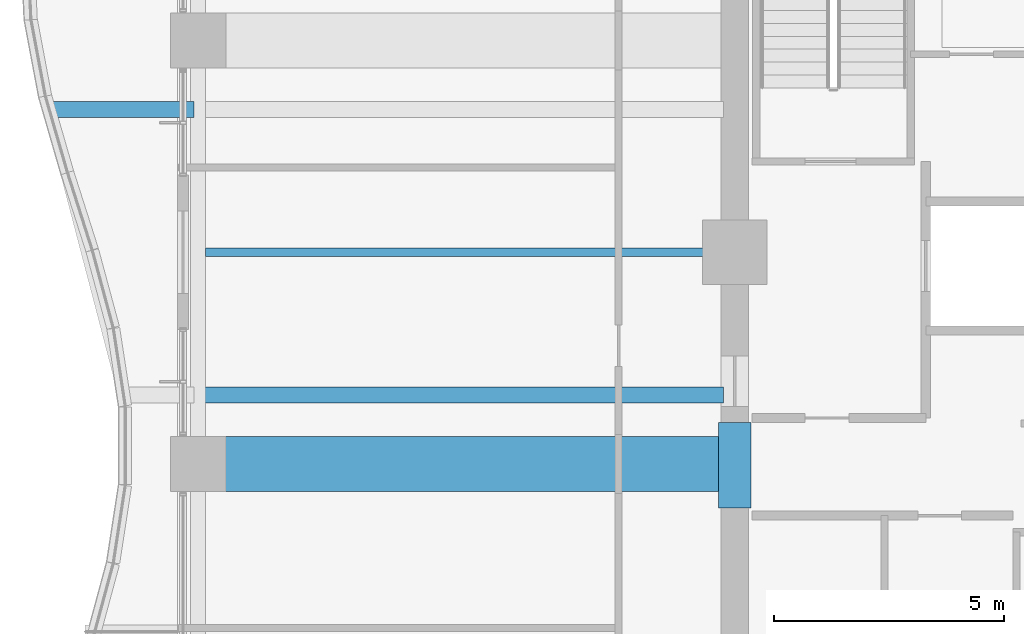
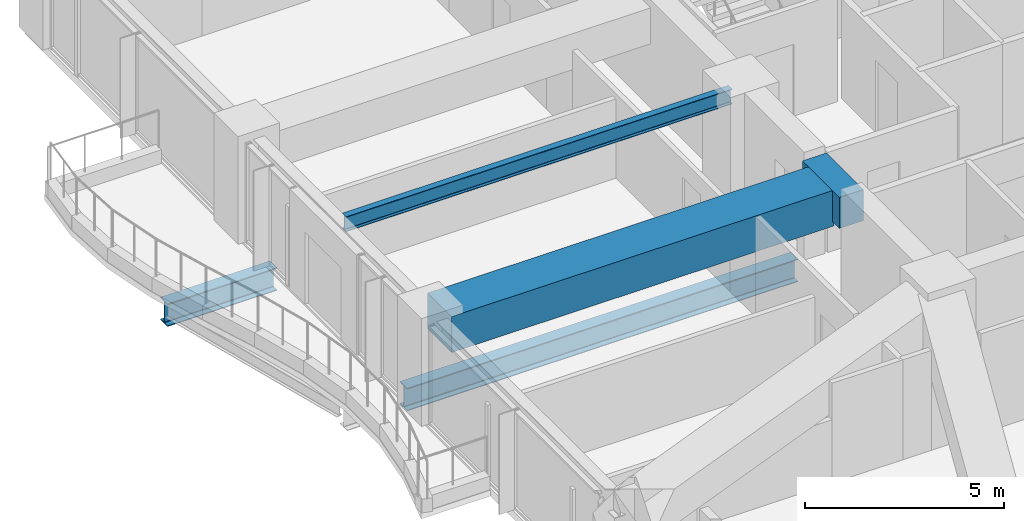
# One storey, part 8 of 39: 5 beams.
"""IFC4 building model written with IfcOpenShell, lengths in metres."""

from ifc_helpers import new_model, si_unit, direction, frame, origin, origin_2d, place, context, subcontext, project, spatial, rectangle, i_section, extrude, material, material_profile, profile_set, type_object, element, save


model = new_model("IFC4")

# Units and contexts
model_context = context("Model", 3, precision=1e-05, world=origin(), true_north=direction((0.0, 1.0)))
body_context = subcontext(model_context, "Body", "Model", "MODEL_VIEW")
ifc_project = project(units=[si_unit("LENGTHUNIT", "METRE"), si_unit("AREAUNIT", "SQUARE_METRE"), si_unit("VOLUMEUNIT", "CUBIC_METRE"), si_unit("PLANEANGLEUNIT", "RADIAN"), si_unit("MASSUNIT", "GRAM", prefix="KILO")], contexts=[model_context])

# Site, building, storey
site_placement = place(None, origin())
site = spatial("IfcSite", under=ifc_project, at=site_placement, CompositionType="ELEMENT")
building_placement = place(site_placement, origin())
building = spatial("IfcBuilding", under=site, at=building_placement, Name="Kolvaren Belvedere", CompositionType="ELEMENT")
storey_placement = place(building_placement, frame((0.0, 0.0, 33.699951171875)))
storey = spatial("IfcBuildingStorey", under=building, at=storey_placement, Name="L09", CompositionType="ELEMENT", Elevation=33.699951171875)

# Beams
ifc_material_1 = material(Name="Structural steel ASTM A992 Grade 50", Category="steel")
ifc_material_profile_1 = material_profile(ifc_material_1, i_section(OverallWidth=0.35498046875, OverallDepth=0.696044921875, WebThickness=0.015380859375, FlangeThickness=0.02490234375, FilletRadius=0.02197265625, at=origin_2d()), Name="W27X146")
ifc_profile_set_1 = profile_set([ifc_material_profile_1], Name="Structural steel ASTM A992 Grade 50")
beam_type_1 = type_object("IfcBeamType", Name="BM-CANT-BAL", PredefinedType="BEAM", material=ifc_profile_set_1)
beam_1_placement = place(storey_placement, frame((-21.64501953125, 3.10009765625, -0.587890625), z_axis=(-1.0, 0.0, 0.0), x_axis=(0.0, -1.0, 0.0)))
element("IfcBeam", 1, at=beam_1_placement, inside=storey, type_object=beam_type_1, Name="L09 Planted Balcony Cantilever BAL-W-2", PredefinedType="BEAM", context=body_context, shape_type="SweptSolid", body=[
    extrude(i_section(OverallWidth=0.35498046875, OverallDepth=0.696044921875, WebThickness=0.015380859375, FlangeThickness=0.02490234375, FilletRadius=0.02197265625, at=origin_2d()), origin(), (0.0, 0.0, 1.0), 3.168212890625),
])
ifc_material_2 = material(Name="Structural steel ASTM A992 Grade 50", Category="steel")
ifc_material_profile_2 = material_profile(ifc_material_2, i_section(OverallWidth=0.35498046875, OverallDepth=0.696044921875, WebThickness=0.015380859375, FlangeThickness=0.02490234375, FilletRadius=0.02197265625, at=origin_2d()), Name="W27X146")
ifc_profile_set_2 = profile_set([ifc_material_profile_2], Name="Structural steel ASTM A992 Grade 50")
beam_type_2 = type_object("IfcBeamType", Name="BM-GIRD-W27X146", PredefinedType="BEAM", material=ifc_profile_set_2)
beam_2_placement = place(storey_placement, frame((-10.139892578125, -3.10009765625, -0.587890625), z_axis=(-1.0, 0.0, 0.0), x_axis=(0.0, -1.0, 0.0)))
element("IfcBeam", 2, at=beam_2_placement, inside=storey, type_object=beam_type_2, Name="L09 Balcony Interior Back-Span Girder BAL-W-1", PredefinedType="BEAM", context=body_context, shape_type="SweptSolid", body=[
    extrude(i_section(OverallWidth=0.35498046875, OverallDepth=0.696044921875, WebThickness=0.015380859375, FlangeThickness=0.02490234375, FilletRadius=0.02197265625, at=origin_2d()), origin(), (0.0, 0.0, 1.0), 11.315185546875),
])
ifc_material_3 = material(Name="Structural steel ASTM A992 Grade 50", Category="steel")
ifc_material_profile_3 = material_profile(ifc_material_3, i_section(OverallWidth=0.19091796875, OverallDepth=0.4599609375, WebThickness=0.010009765625, FlangeThickness=0.01611328125, FilletRadius=0.014892578125, at=origin_2d()), Name="W18X55")
ifc_profile_set_3 = profile_set([ifc_material_profile_3], Name="Structural steel ASTM A992 Grade 50")
beam_type_3 = type_object("IfcBeamType", Name="BM-JOIST-W18X55", PredefinedType="BEAM", material=ifc_profile_set_3)
beam_3_placement = place(storey_placement, frame((-10.199951171875, 0.0, 2.830078125), z_axis=(-1.0, 0.0, 0.0), x_axis=(0.0, -1.0, 0.0)))
element("IfcBeam", 3, at=beam_3_placement, inside=storey, type_object=beam_type_3, Name="L09 West Centre Floor Beam", PredefinedType="BEAM", context=body_context, shape_type="SweptSolid", body=[
    extrude(i_section(OverallWidth=0.19091796875, OverallDepth=0.4599609375, WebThickness=0.010009765625, FlangeThickness=0.01611328125, FilletRadius=0.014892578125, at=origin_2d()), origin(), (0.0, 0.0, 1.0), 11.1875),
])
ifc_material_4 = material(Name="Concrete C60/75", Category="concrete")
ifc_material_profile_4 = material_profile(ifc_material_4, rectangle(XDim=0.699951171875, YDim=0.949951171875, at=origin_2d()), Name="RC 700X950")
ifc_profile_set_4 = profile_set([ifc_material_profile_4], Name="Concrete C60/75")
beam_type_4 = type_object("IfcBeamType", Name="BM-LINT-950", PredefinedType="LINTEL", material=ifc_profile_set_4)
beam_4_placement = place(storey_placement, frame((-9.89990234375, -5.550048828125, 2.5849609375), z_axis=(0.0, 1.0, 0.0), x_axis=(-1.0, 0.0, 0.0)))
element("IfcBeam", 4, at=beam_4_placement, inside=storey, type_object=beam_type_4, Name="L09 West Core Coupling Lintel", PredefinedType="LINTEL", context=body_context, shape_type="SweptSolid", body=[
    extrude(rectangle(XDim=0.699951171875, YDim=0.949951171875, at=origin_2d()), origin(), (0.0, 0.0, 1.0), 1.85009765625),
])
ifc_material_5 = material(Name="Concrete C50/60", Category="concrete")
ifc_material_profile_5 = material_profile(ifc_material_5, rectangle(XDim=1.199951171875, YDim=1.10009765625, at=origin_2d()), Name="RC 1200X1100")
ifc_profile_set_5 = profile_set([ifc_material_profile_5], Name="Concrete C50/60")
beam_type_5 = type_object("IfcBeamType", Name="BM-TG-1100", PredefinedType="BEAM", material=ifc_profile_set_5)
beam_5_placement = place(storey_placement, frame((-10.199951171875, -4.60009765625, 2.510009765625), z_axis=(-1.0, 0.0, 0.0), x_axis=(0.0, -1.0, 0.0)))
element("IfcBeam", 5, at=beam_5_placement, inside=storey, type_object=beam_type_5, Name="L09 West Radial Girder M", PredefinedType="BEAM", context=body_context, shape_type="SweptSolid", body=[
    extrude(rectangle(XDim=1.199951171875, YDim=1.10009765625, at=origin_2d()), origin(), (0.0, 0.0, 1.0), 11.080078125),
])

save(model, "model.ifc")
